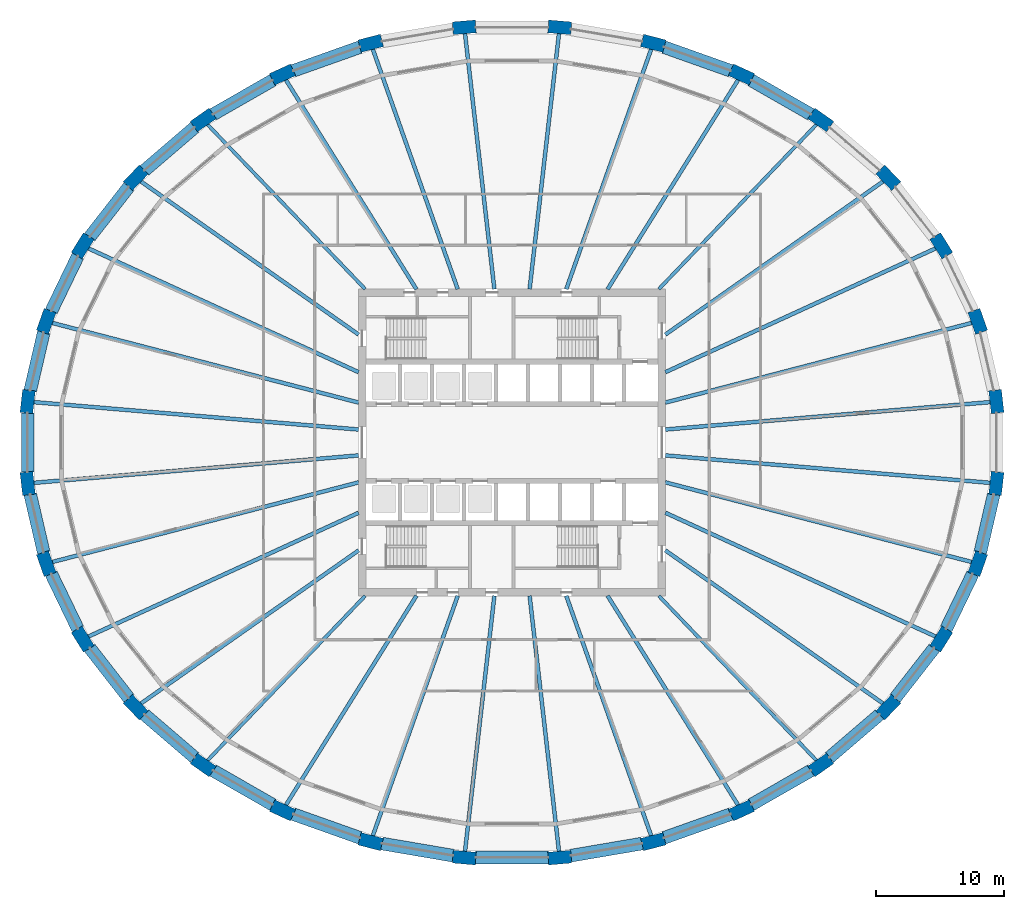
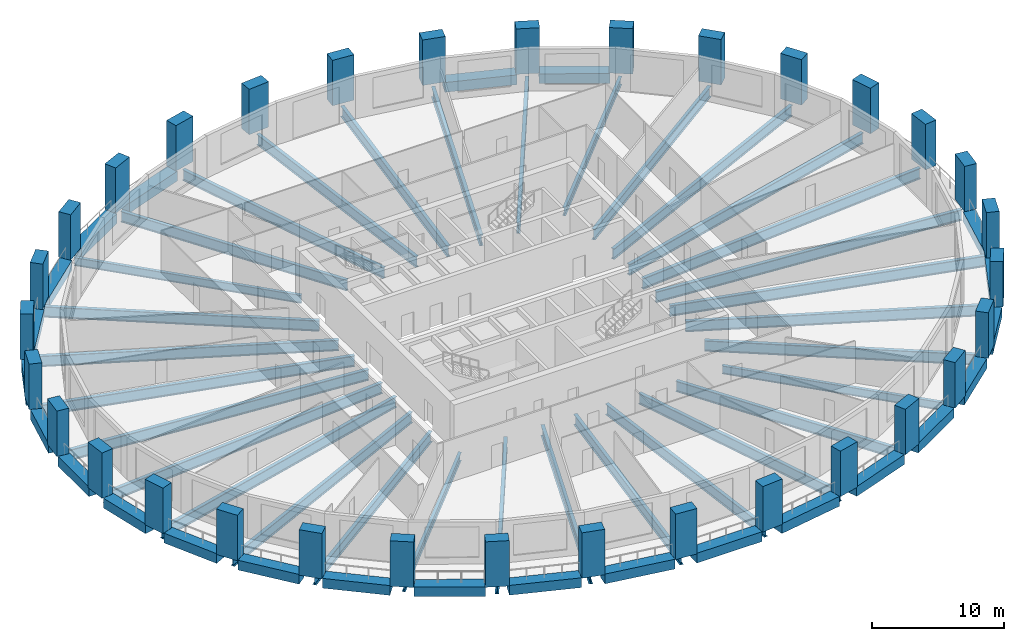
# One storey, part 1 of 12: 56 beams, 32 columns.
"""IFC4 building model written with IfcOpenShell, lengths in metres."""

import ifcopenshell
import ifcopenshell.guid

model = None  # the IFC model being written
_history = None  # IfcOwnerHistory: only IFC2X3 demands one
_inside = {}  # id of a spatial element -> (the spatial element, [elements in it])
_under = {}  # id of a project, library or spatial element -> (it, [spatial elements below it])
_declared = {}  # id of a project -> (the project, [libraries it declares])
_typed = {}  # id of a type object -> (the type object, [elements of that type])
_made_of = {}  # id of a material, layer set ... -> (it, [elements and type objects made of it])


def new_model(schema):
    """Start an empty IFC model of exactly this schema.

    Asked for "IFC4X3", IfcOpenShell would pick the latest addendum, in which some entities
    have other attributes; the version numbers below select the first issue.
    IFC2X3 requires an IfcOwnerHistory on every rooted entity: one is made here for all.
    """
    global model, _history
    if schema == "IFC4X3":
        model = ifcopenshell.file(schema_version=(4, 3, 0, 0))
    else:
        model = ifcopenshell.file(schema=schema)
    _inside.clear()
    _under.clear()
    _declared.clear()
    _typed.clear()
    _made_of.clear()
    _history = None
    if model.schema == "IFC2X3":
        org = make("IfcOrganization", Name="unknown")
        user = make(
            "IfcPersonAndOrganization",
            ThePerson=make("IfcPerson", FamilyName="unknown"),
            TheOrganization=org,
        )
        app = make(
            "IfcApplication",
            ApplicationDeveloper=org,
            Version="unknown",
            ApplicationFullName="unknown",
            ApplicationIdentifier="unknown",
        )
        _history = make(
            "IfcOwnerHistory",
            OwningUser=user,
            OwningApplication=app,
            ChangeAction="ADDED",
            CreationDate=0,
        )
    return model


def make(cls, **values):
    """One entity of the class cls with the attributes given. An attribute that is None is left unset."""
    return model.create_entity(
        cls, **{name: value for name, value in values.items() if value is not None}
    )


def rooted(cls, **values):
    """An entity with a GlobalId (a new one), such as an element, a storey or a relation."""
    return make(cls, GlobalId=ifcopenshell.guid.new(), OwnerHistory=_history, **values)


def si_unit(unit_type, name, prefix=None):
    """IfcSIUnit, for example si_unit("LENGTHUNIT", "METRE", prefix="MILLI")."""
    return make("IfcSIUnit", UnitType=unit_type, Prefix=prefix, Name=name)


def assignment(units):
    """IfcUnitAssignment: the units of a project."""
    return None if units is None else make("IfcUnitAssignment", Units=units)


def point(xyz):
    """IfcCartesianPoint."""
    return None if xyz is None else make("IfcCartesianPoint", Coordinates=xyz)


def direction(xyz):
    """IfcDirection."""
    return None if xyz is None else make("IfcDirection", DirectionRatios=xyz)


def frame(location, z_axis=None, x_axis=None):
    """IfcAxis2Placement3D, a coordinate frame: its origin and axes. An axis left out is left unset."""
    return make(
        "IfcAxis2Placement3D",
        Location=point(location),
        Axis=direction(z_axis),
        RefDirection=direction(x_axis),
    )


def frame_2d(location, x_axis=None):
    """IfcAxis2Placement2D, a coordinate frame in the plane: its origin and x axis."""
    return make(
        "IfcAxis2Placement2D", Location=point(location), RefDirection=direction(x_axis)
    )


def origin():
    """The frame at (0, 0, 0) with its axes left unset."""
    return frame((0.0, 0.0, 0.0))


def origin_2d():
    """The frame at (0, 0) in the plane with its x axis left unset."""
    return frame_2d((0.0, 0.0))


def place(relative_to, where):
    """IfcLocalPlacement: puts the frame where relative to a parent placement (None: the world)."""
    return make(
        "IfcLocalPlacement", PlacementRelTo=relative_to, RelativePlacement=where
    )


def context(
    kind, dimensions, precision=None, world=None, true_north=None, identifier=None
):
    """IfcGeometricRepresentationContext, for example the 3D "Model" context."""
    return make(
        "IfcGeometricRepresentationContext",
        ContextIdentifier=identifier,
        ContextType=kind,
        CoordinateSpaceDimension=dimensions,
        Precision=precision,
        WorldCoordinateSystem=world,
        TrueNorth=true_north,
    )


def subcontext(parent, identifier, kind, view, scale=None):
    """IfcGeometricRepresentationSubContext, for example "Body" below "Model"."""
    return make(
        "IfcGeometricRepresentationSubContext",
        ContextIdentifier=identifier,
        ContextType=kind,
        ParentContext=parent,
        TargetScale=scale,
        TargetView=view,
    )


def project(units=None, contexts=None):
    """IfcProject with its units and contexts."""
    return rooted(
        "IfcProject",
        Name="project",
        RepresentationContexts=contexts,
        UnitsInContext=assignment(units),
    )


def spatial(cls, under=None, at=None, **own):
    """A site, building, storey or space (cls), placed at a placement, below another one or the project."""
    s = rooted(cls, ObjectPlacement=at, **own)
    if under is not None:
        _under.setdefault(under.id(), (under, []))[1].append(s)
    return s


def profile(cls, at=None, kind="AREA", **sizes):
    """A parametric profile (cls). Its sizes go by their IFC names, for example OverallWidth=200.0."""
    return make(cls, ProfileType=kind, Position=at, **sizes)


def rectangle(**sizes):
    """IfcRectangleProfileDef."""
    return profile("IfcRectangleProfileDef", **sizes)


def i_section(**sizes):
    """IfcIShapeProfileDef."""
    return profile("IfcIShapeProfileDef", **sizes)


def extrude(swept, where, along, depth):
    """IfcExtrudedAreaSolid: the profile swept, set in the frame where, extruded along a direction by depth."""
    return make(
        "IfcExtrudedAreaSolid",
        SweptArea=swept,
        Position=where,
        ExtrudedDirection=direction(along),
        Depth=depth,
    )


def shape(context_of_items, identifier, shape_type, items):
    """IfcShapeRepresentation: the items that make up one representation, for example the "Body"."""
    return make(
        "IfcShapeRepresentation",
        ContextOfItems=context_of_items,
        RepresentationIdentifier=identifier,
        RepresentationType=shape_type,
        Items=items,
    )


def material(Name=None, Category=None):
    """IfcMaterial."""
    return make("IfcMaterial", Name=Name, Category=Category)


def material_profile(
    of_material, cross_section, Name=None, Category=None, Priority=None
):
    """IfcMaterialProfile: a cross section and its material."""
    return make(
        "IfcMaterialProfile",
        Name=Name,
        Material=of_material,
        Profile=cross_section,
        Priority=Priority,
        Category=Category,
    )


def profile_set(profiles, Name=None, composite=None):
    """IfcMaterialProfileSet."""
    return make(
        "IfcMaterialProfileSet",
        Name=Name,
        MaterialProfiles=profiles,
        CompositeProfile=composite,
    )


def made_of(thing, what):
    """Note that an element or type object is made of a material, layer set ...; save() writes the relation."""
    if what is not None:
        _made_of.setdefault(what.id(), (what, []))[1].append(thing)
    return thing


def type_object(cls, material=None, **own):
    """A type object (cls), such as IfcWallType, which elements share."""
    return made_of(rooted(cls, **own), material)


def element(
    cls,
    number,
    at=None,
    inside=None,
    cuts=None,
    type_object=None,
    material=None,
    context=None,
    identifier="Body",
    shape_type=None,
    held_by="IfcProductDefinitionShape",
    body=None,
    shapes=None,
    **own,
):
    """One element of the class cls, such as IfcWall. Its Tag is "e" and its number.

    at: its placement. inside: the storey or other place that contains it. cuts: it is an
    opening in that element (IfcRelVoidsElement). A single representation is given by context,
    identifier, shape_type and body (its items); several are given by shapes. held_by: the class
    of the entity that holds the representations. save() writes the other relations.
    """
    e = rooted(cls, Tag="e%d" % number, ObjectPlacement=at, **own)
    if body is not None:
        shapes = [shape(context, identifier, shape_type, body)]
    if shapes is not None:
        e.Representation = make(held_by, Representations=shapes)
    if inside is not None:
        _inside.setdefault(inside.id(), (inside, []))[1].append(e)
    if cuts is not None:
        rooted(
            "IfcRelVoidsElement", RelatingBuildingElement=cuts, RelatedOpeningElement=e
        )
    if type_object is not None:
        _typed.setdefault(type_object.id(), (type_object, []))[1].append(e)
    return made_of(e, material)


def aggregate(whole, parts):
    """IfcRelAggregates: a whole, such as a stair, and the parts it consists of."""
    return rooted("IfcRelAggregates", RelatingObject=whole, RelatedObjects=parts)


def save(model, path):
    """Write the relations noted so far, then the file.

    IfcRelAggregates (storeys below a building ...), IfcRelContainedInSpatialStructure (elements
    in a storey), IfcRelDefinesByType, IfcRelAssociatesMaterial and IfcRelDeclares: one each for
    every whole, place, type object, material and project.
    """
    for whole, parts in _under.values():
        aggregate(whole, parts)
    for where, things in _inside.values():
        rooted(
            "IfcRelContainedInSpatialStructure",
            RelatedElements=things,
            RelatingStructure=where,
        )
    for kind, things in _typed.values():
        rooted("IfcRelDefinesByType", RelatedObjects=things, RelatingType=kind)
    for what, things in _made_of.values():
        rooted("IfcRelAssociatesMaterial", RelatedObjects=things, RelatingMaterial=what)
    for by, libraries in _declared.values():
        rooted("IfcRelDeclares", RelatingContext=by, RelatedDefinitions=libraries)
    model.write(path)


model = new_model("IFC4")

# Units and contexts
model_context = context("Model", 3, precision=1e-05, world=origin(), true_north=direction((0.0, 1.0)))
body_context = subcontext(model_context, "Body", "Model", "MODEL_VIEW")
ifc_project = project(units=[si_unit("LENGTHUNIT", "METRE"), si_unit("AREAUNIT", "SQUARE_METRE"), si_unit("VOLUMEUNIT", "CUBIC_METRE"), si_unit("PLANEANGLEUNIT", "RADIAN"), si_unit("MASSUNIT", "GRAM", prefix="KILO")], contexts=[model_context])

# Site, building, storey
site_placement = place(None, origin())
site = spatial("IfcSite", under=ifc_project, at=site_placement, CompositionType="ELEMENT")
building_placement = place(site_placement, origin())
building = spatial("IfcBuilding", under=site, at=building_placement, Name="Halqa Exchange Tower", CompositionType="ELEMENT")
storey_placement = place(building_placement, frame((0.0, 0.0, 27.699951171875)))
storey = spatial("IfcBuildingStorey", under=building, at=storey_placement, Name="L05", CompositionType="ELEMENT", Elevation=27.699951171875)

# Columns
ifc_material_1 = material(Name="Concrete C80/95", Category="concrete")
ifc_material_profile_1 = material_profile(ifc_material_1, rectangle(XDim=1.800048828125, YDim=1.0, at=origin_2d()), Name="1800 x 1000")
ifc_profile_set_1 = profile_set([ifc_material_profile_1], Name="Concrete C80/95")
column_type = type_object("IfcColumnType", Name="RC ring column 1800 x 1000 C80/95", PredefinedType="COLUMN", material=ifc_profile_set_1)
for number, where, z_axis, x_axis, name in (
    (1, (37.81689453125, 3.192626953125, 0.0), (0.0, 0.0, 1.0), (-0.114155188058, 0.993462929877, 0.0), "Ring column 1"),
    (2, (36.36376953125, 9.455078125, 0.0), (0.0, 0.0, 1.0), (-0.33362752424, 0.942704977747, 0.0), "Ring column 2"),
    (3, (33.512939453125, 15.35400390625, 0.0), (0.0, 0.0, 1.0), (-0.529140496257, 0.848534227489, 0.0), "Ring column 3"),
    (4, (29.37451171875, 20.6630859375, 0.0), (0.0, 0.0, 1.0), (-0.69158113391, 0.722298785282, 0.0), "Ring column 4"),
    (5, (24.10693359375, 25.177978515625, 0.0), (0.0, 0.0, 1.0), (-0.817908788019, 0.57534790734, 0.0), "Ring column 5"),
    (6, (17.9130859375, 28.725341796875, 0.0), (0.0, 0.0, 1.0), (-0.909125641902, 0.416521988898, 0.0), "Ring column 6"),
    (7, (11.03076171875, 31.1689453125, 0.0), (0.0, 0.0, 1.0), (-0.967819064366, 0.251647091481, 0.0), "Ring column 7"),
    (8, (3.724609375, 32.41455078125, 0.0), (0.0, 0.0, 1.0), (-0.996455372165, 0.084123072248, 0.0), "Ring column 8"),
    (9, (-3.724609375, 32.41455078125, 0.0), (0.0, 0.0, 1.0), (-0.996455372165, -0.084123072248, 0.0), "Ring column 9"),
    (10, (-11.03076171875, 31.1689453125, 0.0), (0.0, 0.0, 1.0), (-0.967819064366, -0.251647091481, 0.0), "Ring column 10"),
    (11, (-17.9130859375, 28.725341796875, 0.0), (0.0, 0.0, 1.0), (-0.909125641902, -0.416521988898, 0.0), "Ring column 11"),
    (12, (-24.10693359375, 25.177978515625, 0.0), (0.0, 0.0, 1.0), (-0.817908788019, -0.57534790734, 0.0), "Ring column 12"),
    (13, (-29.37451171875, 20.6630859375, 0.0), (0.0, 0.0, 1.0), (-0.69158113391, -0.722298785282, 0.0), "Ring column 13"),
    (14, (-33.512939453125, 15.35400390625, 0.0), (0.0, 0.0, 1.0), (-0.529140496257, -0.848534227489, 0.0), "Ring column 14"),
    (15, (-36.36376953125, 9.455078125, 0.0), (0.0, 0.0, 1.0), (-0.33362752424, -0.942704977747, 0.0), "Ring column 15"),
    (16, (-37.81689453125, 3.192626953125, 0.0), (0.0, 0.0, 1.0), (-0.114155188058, -0.993462929877, 0.0), "Ring column 16"),
    (17, (-37.81689453125, -3.192626953125, 0.0), (0.0, 0.0, 1.0), (0.114155188058, -0.993462929877, 0.0), "Ring column 17"),
    (18, (-36.36376953125, -9.455078125, 0.0), (0.0, 0.0, 1.0), (0.33362752424, -0.942704977747, 0.0), "Ring column 18"),
    (19, (-33.512939453125, -15.35400390625, 0.0), (0.0, 0.0, 1.0), (0.529140496257, -0.848534227489, 0.0), "Ring column 19"),
    (20, (-29.37451171875, -20.6630859375, 0.0), (0.0, 0.0, 1.0), (0.69158113391, -0.722298785282, 0.0), "Ring column 20"),
    (21, (-24.10693359375, -25.177978515625, 0.0), (0.0, 0.0, 1.0), (0.817908788019, -0.57534790734, 0.0), "Ring column 21"),
    (22, (-17.9130859375, -28.725341796875, 0.0), (0.0, 0.0, 1.0), (0.909125641902, -0.416521988898, 0.0), "Ring column 22"),
    (23, (-11.03076171875, -31.1689453125, 0.0), (0.0, 0.0, 1.0), (0.967819064366, -0.251647091481, 0.0), "Ring column 23"),
    (24, (-3.724609375, -32.41455078125, 0.0), (0.0, 0.0, 1.0), (0.996455372165, -0.084123072248, 0.0), "Ring column 24"),
    (25, (3.724609375, -32.41455078125, 0.0), (0.0, 0.0, 1.0), (0.996455372165, 0.084123072248, 0.0), "Ring column 25"),
    (26, (11.03076171875, -31.1689453125, 0.0), (0.0, 0.0, 1.0), (0.967819064366, 0.251647091481, 0.0), "Ring column 26"),
    (27, (17.9130859375, -28.725341796875, 0.0), (0.0, 0.0, 1.0), (0.909125641902, 0.416521988898, 0.0), "Ring column 27"),
    (28, (24.10693359375, -25.177978515625, 0.0), (0.0, 0.0, 1.0), (0.817908788019, 0.57534790734, 0.0), "Ring column 28"),
    (29, (29.37451171875, -20.6630859375, 0.0), (0.0, 0.0, 1.0), (0.69158113391, 0.722298785282, 0.0), "Ring column 29"),
    (30, (33.512939453125, -15.35400390625, 0.0), (0.0, 0.0, 1.0), (0.529140496257, 0.848534227489, 0.0), "Ring column 30"),
    (31, (36.36376953125, -9.455078125, 0.0), (0.0, 0.0, 1.0), (0.33362752424, 0.942704977747, 0.0), "Ring column 31"),
    (32, (37.81689453125, -3.192626953125, 0.0), (0.0, 0.0, 1.0), (0.114155188058, 0.993462929877, 0.0), "Ring column 32"),
):
    element("IfcColumn", number, at=place(storey_placement, frame(where, z_axis=z_axis, x_axis=x_axis)), inside=storey, type_object=column_type, Name=name, PredefinedType="COLUMN", context=body_context, shape_type="SweptSolid", body=[
        extrude(rectangle(XDim=1.800048828125, YDim=1.0, at=origin_2d()), origin(), (0.0, 0.0, 1.0), 4.199951171875),
    ])

# Beams
ifc_material_2 = material(Name="Steel S355", Category="steel")
ifc_material_profile_2 = material_profile(ifc_material_2, i_section(OverallWidth=0.300048828125, OverallDepth=0.989990234375, WebThickness=0.0166015625, FlangeThickness=0.031005859375, FilletRadius=0.030029296875, at=origin_2d()), Name="HEA 1000")
ifc_profile_set_2 = profile_set([ifc_material_profile_2], Name="Steel S355")
beam_type_1 = type_object("IfcBeamType", Name="Floor beam HEA 1000", PredefinedType="BEAM", material=ifc_profile_set_2)
beam_1_placement = place(storey_placement, frame((11.972412109375, 5.485107421875, -0.794921875), z_axis=(0.909124630178, 0.416524197141, 0.0), x_axis=(-0.416524197141, 0.909124630178, 0.0)))
element("IfcBeam", 33, at=beam_1_placement, inside=storey, type_object=beam_type_1, Name="Radial beam 3", PredefinedType="BEAM", context=body_context, shape_type="SweptSolid", body=[
    extrude(i_section(OverallWidth=0.300048828125, OverallDepth=0.989990234375, WebThickness=0.0166015625, FlangeThickness=0.031005859375, FilletRadius=0.030029296875, at=origin_2d()), origin(), (0.0, 0.0, 1.0), 23.317626953125),
])
beam_2_placement = place(storey_placement, frame((11.972412109375, 8.421875, -0.794921875), z_axis=(0.817908826186, 0.575347853082, 0.0), x_axis=(-0.575347853082, 0.817908826186, 0.0)))
element("IfcBeam", 34, at=beam_2_placement, inside=storey, type_object=beam_type_1, Name="Radial beam 4", PredefinedType="BEAM", context=body_context, shape_type="SweptSolid", body=[
    extrude(i_section(OverallWidth=0.300048828125, OverallDepth=0.989990234375, WebThickness=0.0166015625, FlangeThickness=0.031005859375, FilletRadius=0.030029296875, at=origin_2d()), origin(), (0.0, 0.0, 1.0), 20.900146484375),
])
beam_3_placement = place(storey_placement, frame((7.46533203125, 11.971435546875, -0.794921875), z_axis=(0.529139837497, 0.848534638287, 0.0), x_axis=(-0.848534638287, 0.529139837497, 0.0)))
element("IfcBeam", 35, at=beam_3_placement, inside=storey, type_object=beam_type_1, Name="Radial beam 6", PredefinedType="BEAM", context=body_context, shape_type="SweptSolid", body=[
    extrude(i_section(OverallWidth=0.300048828125, OverallDepth=0.989990234375, WebThickness=0.0166015625, FlangeThickness=0.031005859375, FilletRadius=0.030029296875, at=origin_2d()), origin(), (0.0, 0.0, 1.0), 19.36865234375),
])
beam_4_placement = place(storey_placement, frame((4.23681640625, 11.971923828125, -0.794921875), z_axis=(0.333629414336, 0.942704308832, 0.0), x_axis=(-0.942704308832, 0.333629414336, 0.0)))
element("IfcBeam", 36, at=beam_4_placement, inside=storey, type_object=beam_type_1, Name="Radial beam 7", PredefinedType="BEAM", context=body_context, shape_type="SweptSolid", body=[
    extrude(i_section(OverallWidth=0.300048828125, OverallDepth=0.989990234375, WebThickness=0.0166015625, FlangeThickness=0.031005859375, FilletRadius=0.030029296875, at=origin_2d()), origin(), (0.0, 0.0, 1.0), 19.98974609375),
])
for number, where, z_axis, x_axis, name in (
    (37, (1.375732421875, 11.972900390625, -0.794921875), (0.114154894091, 0.993462963656, 0.0), (-0.993462963656, 0.114154894091, 0.0), "Radial beam 8"),
    (38, (-1.375732421875, 11.972900390625, -0.794921875), (-0.114154894091, 0.993462963656, 0.0), (-0.993462963656, -0.114154894091, 0.0), "Radial beam 9"),
):
    element("IfcBeam", number, at=place(storey_placement, frame(where, z_axis=z_axis, x_axis=x_axis)), inside=storey, type_object=beam_type_1, Name=name, PredefinedType="BEAM", context=body_context, shape_type="SweptSolid", body=[
        extrude(i_section(OverallWidth=0.300048828125, OverallDepth=0.989990234375, WebThickness=0.0166015625, FlangeThickness=0.031005859375, FilletRadius=0.030029296875, at=origin_2d()), origin(), (0.0, 0.0, 1.0), 20.2041015625),
    ])
beam_5_placement = place(storey_placement, frame((-4.23681640625, 11.971923828125, -0.794921875), z_axis=(-0.333629414336, 0.942704308832, 0.0), x_axis=(-0.942704308832, -0.333629414336, 0.0)))
element("IfcBeam", 39, at=beam_5_placement, inside=storey, type_object=beam_type_1, Name="Radial beam 10", PredefinedType="BEAM", context=body_context, shape_type="SweptSolid", body=[
    extrude(i_section(OverallWidth=0.300048828125, OverallDepth=0.989990234375, WebThickness=0.0166015625, FlangeThickness=0.031005859375, FilletRadius=0.030029296875, at=origin_2d()), origin(), (0.0, 0.0, 1.0), 19.98974609375),
])
beam_6_placement = place(storey_placement, frame((-7.46533203125, 11.971435546875, -0.794921875), z_axis=(-0.529139837497, 0.848534638287, 0.0), x_axis=(-0.848534638287, -0.529139837497, 0.0)))
element("IfcBeam", 40, at=beam_6_placement, inside=storey, type_object=beam_type_1, Name="Radial beam 11", PredefinedType="BEAM", context=body_context, shape_type="SweptSolid", body=[
    extrude(i_section(OverallWidth=0.300048828125, OverallDepth=0.989990234375, WebThickness=0.0166015625, FlangeThickness=0.031005859375, FilletRadius=0.030029296875, at=origin_2d()), origin(), (0.0, 0.0, 1.0), 19.36865234375),
])
beam_7_placement = place(storey_placement, frame((-11.972412109375, 8.421875, -0.794921875), z_axis=(-0.817908826186, 0.575347853082, 0.0), x_axis=(-0.575347853082, -0.817908826186, 0.0)))
element("IfcBeam", 41, at=beam_7_placement, inside=storey, type_object=beam_type_1, Name="Radial beam 13", PredefinedType="BEAM", context=body_context, shape_type="SweptSolid", body=[
    extrude(i_section(OverallWidth=0.300048828125, OverallDepth=0.989990234375, WebThickness=0.0166015625, FlangeThickness=0.031005859375, FilletRadius=0.030029296875, at=origin_2d()), origin(), (0.0, 0.0, 1.0), 20.900146484375),
])
for number, where, z_axis, x_axis, name in (
    (42, (-11.972412109375, 5.485107421875, -0.794921875), (-0.909124630178, 0.416524197141, 0.0), (-0.416524197141, -0.909124630178, 0.0), "Radial beam 14"),
    (43, (-11.972412109375, -5.485107421875, -0.794921875), (-0.909124630178, -0.416524197141, 0.0), (0.416524197141, -0.909124630178, 0.0), "Radial beam 19"),
):
    element("IfcBeam", number, at=place(storey_placement, frame(where, z_axis=z_axis, x_axis=x_axis)), inside=storey, type_object=beam_type_1, Name=name, PredefinedType="BEAM", context=body_context, shape_type="SweptSolid", body=[
        extrude(i_section(OverallWidth=0.300048828125, OverallDepth=0.989990234375, WebThickness=0.0166015625, FlangeThickness=0.031005859375, FilletRadius=0.030029296875, at=origin_2d()), origin(), (0.0, 0.0, 1.0), 23.317626953125),
    ])
beam_8_placement = place(storey_placement, frame((-11.972412109375, -8.421875, -0.794921875), z_axis=(-0.817908826186, -0.575347853082, 0.0), x_axis=(0.575347853082, -0.817908826186, 0.0)))
element("IfcBeam", 44, at=beam_8_placement, inside=storey, type_object=beam_type_1, Name="Radial beam 20", PredefinedType="BEAM", context=body_context, shape_type="SweptSolid", body=[
    extrude(i_section(OverallWidth=0.300048828125, OverallDepth=0.989990234375, WebThickness=0.0166015625, FlangeThickness=0.031005859375, FilletRadius=0.030029296875, at=origin_2d()), origin(), (0.0, 0.0, 1.0), 20.900146484375),
])
beam_9_placement = place(storey_placement, frame((-7.46533203125, -11.971435546875, -0.794921875), z_axis=(-0.529139837497, -0.848534638287, 0.0), x_axis=(0.848534638287, -0.529139837497, 0.0)))
element("IfcBeam", 45, at=beam_9_placement, inside=storey, type_object=beam_type_1, Name="Radial beam 22", PredefinedType="BEAM", context=body_context, shape_type="SweptSolid", body=[
    extrude(i_section(OverallWidth=0.300048828125, OverallDepth=0.989990234375, WebThickness=0.0166015625, FlangeThickness=0.031005859375, FilletRadius=0.030029296875, at=origin_2d()), origin(), (0.0, 0.0, 1.0), 19.36865234375),
])
beam_10_placement = place(storey_placement, frame((-4.23681640625, -11.971923828125, -0.794921875), z_axis=(-0.333629414336, -0.942704308832, 0.0), x_axis=(0.942704308832, -0.333629414336, 0.0)))
element("IfcBeam", 46, at=beam_10_placement, inside=storey, type_object=beam_type_1, Name="Radial beam 23", PredefinedType="BEAM", context=body_context, shape_type="SweptSolid", body=[
    extrude(i_section(OverallWidth=0.300048828125, OverallDepth=0.989990234375, WebThickness=0.0166015625, FlangeThickness=0.031005859375, FilletRadius=0.030029296875, at=origin_2d()), origin(), (0.0, 0.0, 1.0), 19.98974609375),
])
for number, where, z_axis, x_axis, name in (
    (47, (-1.375732421875, -11.972900390625, -0.794921875), (-0.114154894091, -0.993462963656, 0.0), (0.993462963656, -0.114154894091, 0.0), "Radial beam 24"),
    (48, (1.375732421875, -11.972900390625, -0.794921875), (0.114154894091, -0.993462963656, 0.0), (0.993462963656, 0.114154894091, 0.0), "Radial beam 25"),
):
    element("IfcBeam", number, at=place(storey_placement, frame(where, z_axis=z_axis, x_axis=x_axis)), inside=storey, type_object=beam_type_1, Name=name, PredefinedType="BEAM", context=body_context, shape_type="SweptSolid", body=[
        extrude(i_section(OverallWidth=0.300048828125, OverallDepth=0.989990234375, WebThickness=0.0166015625, FlangeThickness=0.031005859375, FilletRadius=0.030029296875, at=origin_2d()), origin(), (0.0, 0.0, 1.0), 20.2041015625),
    ])
beam_11_placement = place(storey_placement, frame((4.23681640625, -11.971923828125, -0.794921875), z_axis=(0.333629414336, -0.942704308832, 0.0), x_axis=(0.942704308832, 0.333629414336, 0.0)))
element("IfcBeam", 49, at=beam_11_placement, inside=storey, type_object=beam_type_1, Name="Radial beam 26", PredefinedType="BEAM", context=body_context, shape_type="SweptSolid", body=[
    extrude(i_section(OverallWidth=0.300048828125, OverallDepth=0.989990234375, WebThickness=0.0166015625, FlangeThickness=0.031005859375, FilletRadius=0.030029296875, at=origin_2d()), origin(), (0.0, 0.0, 1.0), 19.98974609375),
])
beam_12_placement = place(storey_placement, frame((7.46533203125, -11.971435546875, -0.794921875), z_axis=(0.529139837497, -0.848534638287, 0.0), x_axis=(0.848534638287, 0.529139837497, 0.0)))
element("IfcBeam", 50, at=beam_12_placement, inside=storey, type_object=beam_type_1, Name="Radial beam 27", PredefinedType="BEAM", context=body_context, shape_type="SweptSolid", body=[
    extrude(i_section(OverallWidth=0.300048828125, OverallDepth=0.989990234375, WebThickness=0.0166015625, FlangeThickness=0.031005859375, FilletRadius=0.030029296875, at=origin_2d()), origin(), (0.0, 0.0, 1.0), 19.36865234375),
])
beam_13_placement = place(storey_placement, frame((11.972412109375, -8.421875, -0.794921875), z_axis=(0.817908826186, -0.575347853082, 0.0), x_axis=(0.575347853082, 0.817908826186, 0.0)))
element("IfcBeam", 51, at=beam_13_placement, inside=storey, type_object=beam_type_1, Name="Radial beam 29", PredefinedType="BEAM", context=body_context, shape_type="SweptSolid", body=[
    extrude(i_section(OverallWidth=0.300048828125, OverallDepth=0.989990234375, WebThickness=0.0166015625, FlangeThickness=0.031005859375, FilletRadius=0.030029296875, at=origin_2d()), origin(), (0.0, 0.0, 1.0), 20.900146484375),
])
beam_14_placement = place(storey_placement, frame((11.972412109375, -5.485107421875, -0.794921875), z_axis=(0.909124630178, -0.416524197141, 0.0), x_axis=(0.416524197141, 0.909124630178, 0.0)))
element("IfcBeam", 52, at=beam_14_placement, inside=storey, type_object=beam_type_1, Name="Radial beam 30", PredefinedType="BEAM", context=body_context, shape_type="SweptSolid", body=[
    extrude(i_section(OverallWidth=0.300048828125, OverallDepth=0.989990234375, WebThickness=0.0166015625, FlangeThickness=0.031005859375, FilletRadius=0.030029296875, at=origin_2d()), origin(), (0.0, 0.0, 1.0), 23.317626953125),
])
ifc_material_profile_3 = material_profile(ifc_material_2, i_section(OverallWidth=0.302001953125, OverallDepth=1.008056640625, WebThickness=0.02099609375, FlangeThickness=0.0400390625, FilletRadius=0.030029296875, at=origin_2d()), Name="HEM 1000")
ifc_profile_set_3 = profile_set([ifc_material_profile_3], Name="Steel S355")
beam_type_2 = type_object("IfcBeamType", Name="Floor beam HEM 1000", PredefinedType="BEAM", material=ifc_profile_set_3)
beam_15_placement = place(storey_placement, frame((11.972412109375, 1.0107421875, -0.803955078125), z_axis=(0.996455139269, 0.084125830899, 0.0), x_axis=(-0.084125830899, 0.996455139269, 0.0)))
element("IfcBeam", 53, at=beam_15_placement, inside=storey, type_object=beam_type_2, Name="Radial beam 1", PredefinedType="BEAM", context=body_context, shape_type="SweptSolid", body=[
    extrude(i_section(OverallWidth=0.302001953125, OverallDepth=1.008056640625, WebThickness=0.02099609375, FlangeThickness=0.0400390625, FilletRadius=0.030029296875, at=origin_2d()), origin(), (0.0, 0.0, 1.0), 25.564453125),
])
for number, where, z_axis, x_axis, name in (
    (54, (11.971435546875, 3.11279296875, -0.803955078125), (0.967820782621, 0.251640483083, 0.0), (-0.251640483083, 0.967820782621, 0.0), "Radial beam 2"),
    (55, (-11.971435546875, 3.11279296875, -0.803955078125), (-0.967820782621, 0.251640483083, 0.0), (-0.251640483083, -0.967820782621, 0.0), "Radial beam 15"),
):
    element("IfcBeam", number, at=place(storey_placement, frame(where, z_axis=z_axis, x_axis=x_axis)), inside=storey, type_object=beam_type_2, Name=name, PredefinedType="BEAM", context=body_context, shape_type="SweptSolid", body=[
        extrude(i_section(OverallWidth=0.302001953125, OverallDepth=1.008056640625, WebThickness=0.02099609375, FlangeThickness=0.0400390625, FilletRadius=0.030029296875, at=origin_2d()), origin(), (0.0, 0.0, 1.0), 24.829345703125),
    ])
for number, where, z_axis, x_axis, name in (
    (56, (-11.972412109375, 1.0107421875, -0.803955078125), (-0.996455139269, 0.084125830899, 0.0), (-0.084125830899, -0.996455139269, 0.0), "Radial beam 16"),
    (57, (-11.972412109375, -1.0107421875, -0.803955078125), (-0.996455139269, -0.084125830899, 0.0), (0.084125830899, -0.996455139269, 0.0), "Radial beam 17"),
):
    element("IfcBeam", number, at=place(storey_placement, frame(where, z_axis=z_axis, x_axis=x_axis)), inside=storey, type_object=beam_type_2, Name=name, PredefinedType="BEAM", context=body_context, shape_type="SweptSolid", body=[
        extrude(i_section(OverallWidth=0.302001953125, OverallDepth=1.008056640625, WebThickness=0.02099609375, FlangeThickness=0.0400390625, FilletRadius=0.030029296875, at=origin_2d()), origin(), (0.0, 0.0, 1.0), 25.564453125),
    ])
for number, where, z_axis, x_axis, name in (
    (58, (-11.971435546875, -3.11279296875, -0.803955078125), (-0.967820782621, -0.251640483083, 0.0), (0.251640483083, -0.967820782621, 0.0), "Radial beam 18"),
    (59, (11.971435546875, -3.11279296875, -0.803955078125), (0.967820782621, -0.251640483083, 0.0), (0.251640483083, 0.967820782621, 0.0), "Radial beam 31"),
):
    element("IfcBeam", number, at=place(storey_placement, frame(where, z_axis=z_axis, x_axis=x_axis)), inside=storey, type_object=beam_type_2, Name=name, PredefinedType="BEAM", context=body_context, shape_type="SweptSolid", body=[
        extrude(i_section(OverallWidth=0.302001953125, OverallDepth=1.008056640625, WebThickness=0.02099609375, FlangeThickness=0.0400390625, FilletRadius=0.030029296875, at=origin_2d()), origin(), (0.0, 0.0, 1.0), 24.829345703125),
    ])
beam_16_placement = place(storey_placement, frame((11.972412109375, -1.0107421875, -0.803955078125), z_axis=(0.996455139269, -0.084125830899, 0.0), x_axis=(0.084125830899, 0.996455139269, 0.0)))
element("IfcBeam", 60, at=beam_16_placement, inside=storey, type_object=beam_type_2, Name="Radial beam 32", PredefinedType="BEAM", context=body_context, shape_type="SweptSolid", body=[
    extrude(i_section(OverallWidth=0.302001953125, OverallDepth=1.008056640625, WebThickness=0.02099609375, FlangeThickness=0.0400390625, FilletRadius=0.030029296875, at=origin_2d()), origin(), (0.0, 0.0, 1.0), 25.564453125),
])
ifc_material_profile_4 = material_profile(ifc_material_2, i_section(OverallWidth=0.264892578125, OverallDepth=0.7529296875, WebThickness=0.01318359375, FlangeThickness=0.01708984375, FilletRadius=0.01708984375, at=origin_2d()), Name="IPE 750x147")
ifc_profile_set_4 = profile_set([ifc_material_profile_4], Name="Steel S355")
beam_type_3 = type_object("IfcBeamType", Name="Floor beam IPE 750x147", PredefinedType="BEAM", material=ifc_profile_set_4)
for number, where, z_axis, x_axis, name in (
    (61, (11.462890625, 11.97216796875, -0.676513671875), (0.691574525991, 0.722305112124, 0.0), (-0.722305112124, 0.691574525991, 0.0), "Radial beam 5"),
    (62, (-11.462890625, 11.97216796875, -0.676513671875), (-0.691574525991, 0.722305112124, 0.0), (-0.722305112124, -0.691574525991, 0.0), "Radial beam 12"),
    (63, (-11.462890625, -11.97216796875, -0.676513671875), (-0.691574525991, -0.722305112124, 0.0), (0.722305112124, -0.691574525991, 0.0), "Radial beam 21"),
    (64, (11.462890625, -11.97216796875, -0.676513671875), (0.691574525991, -0.722305112124, 0.0), (0.722305112124, 0.691574525991, 0.0), "Radial beam 28"),
):
    element("IfcBeam", number, at=place(storey_placement, frame(where, z_axis=z_axis, x_axis=x_axis)), inside=storey, type_object=beam_type_3, Name=name, PredefinedType="BEAM", context=body_context, shape_type="SweptSolid", body=[
        extrude(i_section(OverallWidth=0.264892578125, OverallDepth=0.7529296875, WebThickness=0.01318359375, FlangeThickness=0.01708984375, FilletRadius=0.01708984375, at=origin_2d()), origin(), (0.0, 0.0, 1.0), 17.906982421875),
    ])
ifc_material_3 = material(Name="Concrete C60/75", Category="concrete")
ifc_material_profile_5 = material_profile(ifc_material_3, rectangle(XDim=1.0, YDim=0.89990234375, at=origin_2d()), Name="1000 x 900")
ifc_profile_set_5 = profile_set([ifc_material_profile_5], Name="Concrete C60/75")
beam_type_4 = type_object("IfcBeamType", Name="RC spandrel beam 1000 x 900 C60/75", PredefinedType="SPANDREL", material=ifc_profile_set_5)
beam_17_placement = place(storey_placement, frame((23.3466796875, 25.61328125, -0.449951171875), z_axis=(-0.867735054716, 0.497027036303, 0.0), x_axis=(-0.497027036303, -0.867735054716, 0.0)))
element("IfcBeam", 65, at=beam_17_placement, inside=storey, type_object=beam_type_4, Name="Spandrel 5", PredefinedType="SPANDREL", context=body_context, shape_type="SweptSolid", body=[
    extrude(rectangle(XDim=1.0, YDim=0.89990234375, at=origin_2d()), origin(), (0.0, 0.0, 1.0), 5.386474609375),
])
for number, where, z_axis, x_axis, name in (
    (66, (17.08740234375, 29.0185546875, -0.449951171875), (-0.942365135213, 0.334586239906, 0.0), (-0.334586239906, -0.942365135213, 0.0), "Spandrel 6"),
    (67, (-11.85595703125, 30.8759765625, -0.449951171875), (-0.942365135213, -0.334586239906, 0.0), (0.334586239906, -0.942365135213, 0.0), "Spandrel 10"),
):
    element("IfcBeam", number, at=place(storey_placement, frame(where, z_axis=z_axis, x_axis=x_axis)), inside=storey, type_object=beam_type_4, Name=name, PredefinedType="SPANDREL", context=body_context, shape_type="SweptSolid", body=[
        extrude(rectangle(XDim=1.0, YDim=0.89990234375, at=origin_2d()), origin(), (0.0, 0.0, 1.0), 5.551513671875),
    ])
beam_18_placement = place(storey_placement, frame((-18.672607421875, 28.29052734375, -0.449951171875), z_axis=(-0.867735054716, -0.497027036303, 0.0), x_axis=(0.497027036303, -0.867735054716, 0.0)))
element("IfcBeam", 68, at=beam_18_placement, inside=storey, type_object=beam_type_4, Name="Spandrel 11", PredefinedType="SPANDREL", context=body_context, shape_type="SweptSolid", body=[
    extrude(rectangle(XDim=1.0, YDim=0.89990234375, at=origin_2d()), origin(), (0.0, 0.0, 1.0), 5.386474609375),
])
beam_19_placement = place(storey_placement, frame((-24.771484375, 24.6083984375, -0.449951171875), z_axis=(-0.759256602365, -0.650791373456, 0.0), x_axis=(0.650791373456, -0.759256602365, 0.0)))
element("IfcBeam", 69, at=beam_19_placement, inside=storey, type_object=beam_type_4, Name="Spandrel 12", PredefinedType="SPANDREL", context=body_context, shape_type="SweptSolid", body=[
    extrude(rectangle(XDim=1.0, YDim=0.89990234375, at=origin_2d()), origin(), (0.0, 0.0, 1.0), 5.18603515625),
])
beam_20_placement = place(storey_placement, frame((-29.91259765625, 19.972412109375, -0.449951171875), z_axis=(-0.61483301054, -0.788657320482, 0.0), x_axis=(0.788657320482, -0.61483301054, 0.0)))
element("IfcBeam", 70, at=beam_20_placement, inside=storey, type_object=beam_type_4, Name="Spandrel 13", PredefinedType="SPANDREL", context=body_context, shape_type="SweptSolid", body=[
    extrude(rectangle(XDim=1.0, YDim=0.89990234375, at=origin_2d()), origin(), (0.0, 0.0, 1.0), 4.97900390625),
])
beam_21_placement = place(storey_placement, frame((-33.89501953125, 14.563720703125, -0.449951171875), z_axis=(-0.435100585492, -0.900381852607, 0.0), x_axis=(0.900381852607, -0.435100585492, 0.0)))
element("IfcBeam", 71, at=beam_21_placement, inside=storey, type_object=beam_type_4, Name="Spandrel 14", PredefinedType="SPANDREL", context=body_context, shape_type="SweptSolid", body=[
    extrude(rectangle(XDim=1.0, YDim=0.89990234375, at=origin_2d()), origin(), (0.0, 0.0, 1.0), 4.796875),
])
beam_22_placement = place(storey_placement, frame((-36.56201171875, 8.599853515625, -0.449951171875), z_axis=(-0.226088096274, -0.974106858986, 0.0), x_axis=(0.974106858986, -0.226088096274, 0.0)))
element("IfcBeam", 72, at=beam_22_placement, inside=storey, type_object=beam_type_4, Name="Spandrel 15", PredefinedType="SPANDREL", context=body_context, shape_type="SweptSolid", body=[
    extrude(rectangle(XDim=1.0, YDim=0.89990234375, at=origin_2d()), origin(), (0.0, 0.0, 1.0), 4.672607421875),
])
beam_23_placement = place(storey_placement, frame((-37.81689453125, 2.31396484375, -0.449951171875), z_axis=(0.0, -1.0, 0.0), x_axis=(1.0, 0.0, 0.0)))
element("IfcBeam", 73, at=beam_23_placement, inside=storey, type_object=beam_type_4, Name="Spandrel 16", PredefinedType="SPANDREL", context=body_context, shape_type="SweptSolid", body=[
    extrude(rectangle(XDim=1.0, YDim=0.89990234375, at=origin_2d()), origin(), (0.0, 0.0, 1.0), 4.6279296875),
])
beam_24_placement = place(storey_placement, frame((-37.618408203125, -4.04833984375, -0.449951171875), z_axis=(0.226088096274, -0.974106858986, 0.0), x_axis=(0.974106858986, 0.226088096274, 0.0)))
element("IfcBeam", 74, at=beam_24_placement, inside=storey, type_object=beam_type_4, Name="Spandrel 17", PredefinedType="SPANDREL", context=body_context, shape_type="SweptSolid", body=[
    extrude(rectangle(XDim=1.0, YDim=0.89990234375, at=origin_2d()), origin(), (0.0, 0.0, 1.0), 4.672607421875),
])
beam_25_placement = place(storey_placement, frame((-35.982177734375, -10.24462890625, -0.449951171875), z_axis=(0.435100585492, -0.900381852607, 0.0), x_axis=(0.900381852607, 0.435100585492, 0.0)))
element("IfcBeam", 75, at=beam_25_placement, inside=storey, type_object=beam_type_4, Name="Spandrel 18", PredefinedType="SPANDREL", context=body_context, shape_type="SweptSolid", body=[
    extrude(rectangle(XDim=1.0, YDim=0.89990234375, at=origin_2d()), origin(), (0.0, 0.0, 1.0), 4.796875),
])
beam_26_placement = place(storey_placement, frame((-32.973876953125, -16.045654296875, -0.449951171875), z_axis=(0.61483301054, -0.788657320482, 0.0), x_axis=(0.788657320482, 0.61483301054, 0.0)))
element("IfcBeam", 76, at=beam_26_placement, inside=storey, type_object=beam_type_4, Name="Spandrel 19", PredefinedType="SPANDREL", context=body_context, shape_type="SweptSolid", body=[
    extrude(rectangle(XDim=1.0, YDim=0.89990234375, at=origin_2d()), origin(), (0.0, 0.0, 1.0), 4.97900390625),
])
beam_27_placement = place(storey_placement, frame((-28.708984375, -21.2333984375, -0.449951171875), z_axis=(0.759256602365, -0.650791373456, 0.0), x_axis=(0.650791373456, 0.759256602365, 0.0)))
element("IfcBeam", 77, at=beam_27_placement, inside=storey, type_object=beam_type_4, Name="Spandrel 20", PredefinedType="SPANDREL", context=body_context, shape_type="SweptSolid", body=[
    extrude(rectangle(XDim=1.0, YDim=0.89990234375, at=origin_2d()), origin(), (0.0, 0.0, 1.0), 5.18603515625),
])
beam_28_placement = place(storey_placement, frame((-23.3466796875, -25.61328125, -0.449951171875), z_axis=(0.867735054716, -0.497027036303, 0.0), x_axis=(0.497027036303, 0.867735054716, 0.0)))
element("IfcBeam", 78, at=beam_28_placement, inside=storey, type_object=beam_type_4, Name="Spandrel 21", PredefinedType="SPANDREL", context=body_context, shape_type="SweptSolid", body=[
    extrude(rectangle(XDim=1.0, YDim=0.89990234375, at=origin_2d()), origin(), (0.0, 0.0, 1.0), 5.386474609375),
])
beam_29_placement = place(storey_placement, frame((-17.08740234375, -29.0185546875, -0.449951171875), z_axis=(0.942365135213, -0.334586239906, 0.0), x_axis=(0.334586239906, 0.942365135213, 0.0)))
element("IfcBeam", 79, at=beam_29_placement, inside=storey, type_object=beam_type_4, Name="Spandrel 22", PredefinedType="SPANDREL", context=body_context, shape_type="SweptSolid", body=[
    extrude(rectangle(XDim=1.0, YDim=0.89990234375, at=origin_2d()), origin(), (0.0, 0.0, 1.0), 5.551513671875),
])
beam_30_placement = place(storey_placement, frame((-10.168212890625, -31.31591796875, -0.449951171875), z_axis=(0.985772867677, -0.168082876436, 0.0), x_axis=(0.168082876436, 0.985772867677, 0.0)))
element("IfcBeam", 80, at=beam_30_placement, inside=storey, type_object=beam_type_4, Name="Spandrel 23", PredefinedType="SPANDREL", context=body_context, shape_type="SweptSolid", body=[
    extrude(rectangle(XDim=1.0, YDim=0.89990234375, at=origin_2d()), origin(), (0.0, 0.0, 1.0), 5.661865234375),
])
beam_31_placement = place(storey_placement, frame((-2.85009765625, -32.41455078125, -0.449951171875), z_axis=(1.0, 0.0, 0.0), x_axis=(0.0, 1.0, 0.0)))
element("IfcBeam", 81, at=beam_31_placement, inside=storey, type_object=beam_type_4, Name="Spandrel 24", PredefinedType="SPANDREL", context=body_context, shape_type="SweptSolid", body=[
    extrude(rectangle(XDim=1.0, YDim=0.89990234375, at=origin_2d()), origin(), (0.0, 0.0, 1.0), 5.7001953125),
])
beam_32_placement = place(storey_placement, frame((4.5869140625, -32.267578125, -0.449951171875), z_axis=(0.985772867677, 0.168082876436, 0.0), x_axis=(-0.168082876436, 0.985772867677, 0.0)))
element("IfcBeam", 82, at=beam_32_placement, inside=storey, type_object=beam_type_4, Name="Spandrel 25", PredefinedType="SPANDREL", context=body_context, shape_type="SweptSolid", body=[
    extrude(rectangle(XDim=1.0, YDim=0.89990234375, at=origin_2d()), origin(), (0.0, 0.0, 1.0), 5.661865234375),
])
beam_33_placement = place(storey_placement, frame((11.85595703125, -30.8759765625, -0.449951171875), z_axis=(0.942365135213, 0.334586239906, 0.0), x_axis=(-0.334586239906, 0.942365135213, 0.0)))
element("IfcBeam", 83, at=beam_33_placement, inside=storey, type_object=beam_type_4, Name="Spandrel 26", PredefinedType="SPANDREL", context=body_context, shape_type="SweptSolid", body=[
    extrude(rectangle(XDim=1.0, YDim=0.89990234375, at=origin_2d()), origin(), (0.0, 0.0, 1.0), 5.551513671875),
])
beam_34_placement = place(storey_placement, frame((18.672607421875, -28.29052734375, -0.449951171875), z_axis=(0.867735054716, 0.497027036303, 0.0), x_axis=(-0.497027036303, 0.867735054716, 0.0)))
element("IfcBeam", 84, at=beam_34_placement, inside=storey, type_object=beam_type_4, Name="Spandrel 27", PredefinedType="SPANDREL", context=body_context, shape_type="SweptSolid", body=[
    extrude(rectangle(XDim=1.0, YDim=0.89990234375, at=origin_2d()), origin(), (0.0, 0.0, 1.0), 5.386474609375),
])
beam_35_placement = place(storey_placement, frame((24.771484375, -24.6083984375, -0.449951171875), z_axis=(0.759256602365, 0.650791373456, 0.0), x_axis=(-0.650791373456, 0.759256602365, 0.0)))
element("IfcBeam", 85, at=beam_35_placement, inside=storey, type_object=beam_type_4, Name="Spandrel 28", PredefinedType="SPANDREL", context=body_context, shape_type="SweptSolid", body=[
    extrude(rectangle(XDim=1.0, YDim=0.89990234375, at=origin_2d()), origin(), (0.0, 0.0, 1.0), 5.18603515625),
])
beam_36_placement = place(storey_placement, frame((29.91259765625, -19.972412109375, -0.449951171875), z_axis=(0.61483301054, 0.788657320482, 0.0), x_axis=(-0.788657320482, 0.61483301054, 0.0)))
element("IfcBeam", 86, at=beam_36_placement, inside=storey, type_object=beam_type_4, Name="Spandrel 29", PredefinedType="SPANDREL", context=body_context, shape_type="SweptSolid", body=[
    extrude(rectangle(XDim=1.0, YDim=0.89990234375, at=origin_2d()), origin(), (0.0, 0.0, 1.0), 4.97900390625),
])
beam_37_placement = place(storey_placement, frame((33.89501953125, -14.563720703125, -0.449951171875), z_axis=(0.435100585492, 0.900381852607, 0.0), x_axis=(-0.900381852607, 0.435100585492, 0.0)))
element("IfcBeam", 87, at=beam_37_placement, inside=storey, type_object=beam_type_4, Name="Spandrel 30", PredefinedType="SPANDREL", context=body_context, shape_type="SweptSolid", body=[
    extrude(rectangle(XDim=1.0, YDim=0.89990234375, at=origin_2d()), origin(), (0.0, 0.0, 1.0), 4.796875),
])
beam_38_placement = place(storey_placement, frame((36.56201171875, -8.599853515625, -0.449951171875), z_axis=(0.226088096274, 0.974106858986, 0.0), x_axis=(-0.974106858986, 0.226088096274, 0.0)))
element("IfcBeam", 88, at=beam_38_placement, inside=storey, type_object=beam_type_4, Name="Spandrel 31", PredefinedType="SPANDREL", context=body_context, shape_type="SweptSolid", body=[
    extrude(rectangle(XDim=1.0, YDim=0.89990234375, at=origin_2d()), origin(), (0.0, 0.0, 1.0), 4.672607421875),
])

save(model, "model.ifc")
